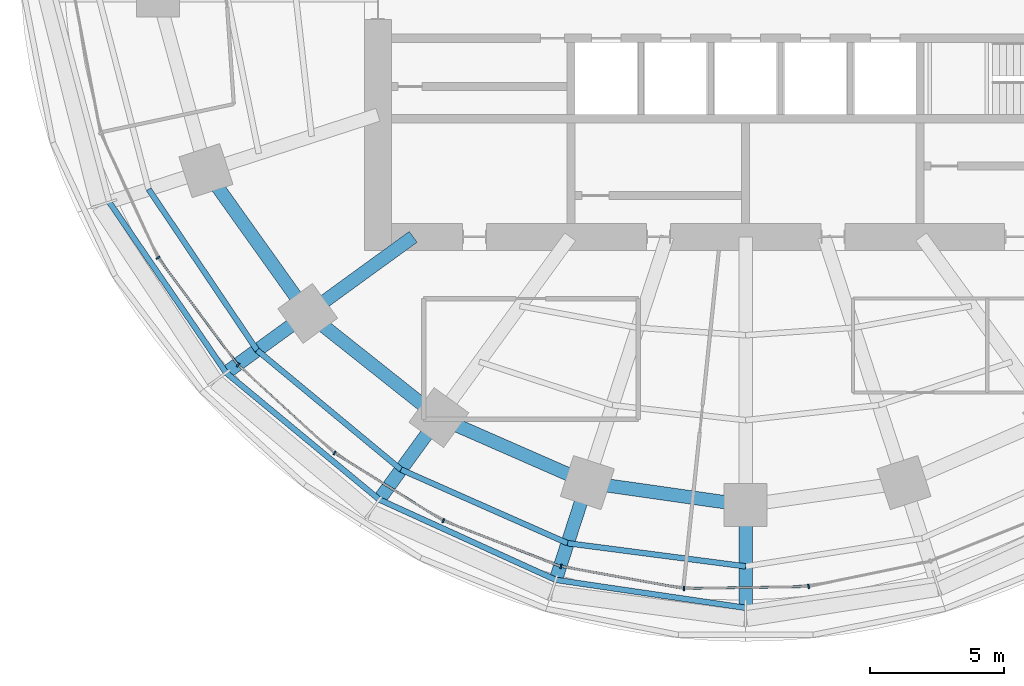
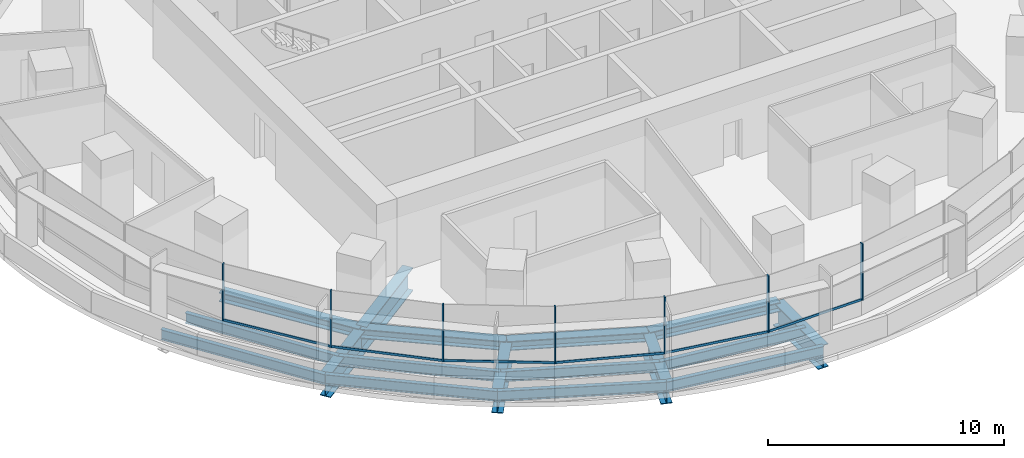
# One storey, part 2 of 15: 17 members, 13 beams, 2 elements without a shape of their own.
"""IFC4 building model written with IfcOpenShell, lengths in metres."""

import ifcopenshell
import ifcopenshell.guid

model = None  # the IFC model being written
_history = None  # IfcOwnerHistory: only IFC2X3 demands one
_inside = {}  # id of a spatial element -> (the spatial element, [elements in it])
_under = {}  # id of a project, library or spatial element -> (it, [spatial elements below it])
_declared = {}  # id of a project -> (the project, [libraries it declares])
_typed = {}  # id of a type object -> (the type object, [elements of that type])
_made_of = {}  # id of a material, layer set ... -> (it, [elements and type objects made of it])


def new_model(schema):
    """Start an empty IFC model of exactly this schema.

    Asked for "IFC4X3", IfcOpenShell would pick the latest addendum, in which some entities
    have other attributes; the version numbers below select the first issue.
    IFC2X3 requires an IfcOwnerHistory on every rooted entity: one is made here for all.
    """
    global model, _history
    if schema == "IFC4X3":
        model = ifcopenshell.file(schema_version=(4, 3, 0, 0))
    else:
        model = ifcopenshell.file(schema=schema)
    _inside.clear()
    _under.clear()
    _declared.clear()
    _typed.clear()
    _made_of.clear()
    _history = None
    if model.schema == "IFC2X3":
        org = make("IfcOrganization", Name="unknown")
        user = make(
            "IfcPersonAndOrganization",
            ThePerson=make("IfcPerson", FamilyName="unknown"),
            TheOrganization=org,
        )
        app = make(
            "IfcApplication",
            ApplicationDeveloper=org,
            Version="unknown",
            ApplicationFullName="unknown",
            ApplicationIdentifier="unknown",
        )
        _history = make(
            "IfcOwnerHistory",
            OwningUser=user,
            OwningApplication=app,
            ChangeAction="ADDED",
            CreationDate=0,
        )
    return model


def make(cls, **values):
    """One entity of the class cls with the attributes given. An attribute that is None is left unset."""
    return model.create_entity(
        cls, **{name: value for name, value in values.items() if value is not None}
    )


def rooted(cls, **values):
    """An entity with a GlobalId (a new one), such as an element, a storey or a relation."""
    return make(cls, GlobalId=ifcopenshell.guid.new(), OwnerHistory=_history, **values)


def si_unit(unit_type, name, prefix=None):
    """IfcSIUnit, for example si_unit("LENGTHUNIT", "METRE", prefix="MILLI")."""
    return make("IfcSIUnit", UnitType=unit_type, Prefix=prefix, Name=name)


def assignment(units):
    """IfcUnitAssignment: the units of a project."""
    return None if units is None else make("IfcUnitAssignment", Units=units)


def point(xyz):
    """IfcCartesianPoint."""
    return None if xyz is None else make("IfcCartesianPoint", Coordinates=xyz)


def direction(xyz):
    """IfcDirection."""
    return None if xyz is None else make("IfcDirection", DirectionRatios=xyz)


def frame(location, z_axis=None, x_axis=None):
    """IfcAxis2Placement3D, a coordinate frame: its origin and axes. An axis left out is left unset."""
    return make(
        "IfcAxis2Placement3D",
        Location=point(location),
        Axis=direction(z_axis),
        RefDirection=direction(x_axis),
    )


def frame_2d(location, x_axis=None):
    """IfcAxis2Placement2D, a coordinate frame in the plane: its origin and x axis."""
    return make(
        "IfcAxis2Placement2D", Location=point(location), RefDirection=direction(x_axis)
    )


def origin():
    """The frame at (0, 0, 0) with its axes left unset."""
    return frame((0.0, 0.0, 0.0))


def origin_2d():
    """The frame at (0, 0) in the plane with its x axis left unset."""
    return frame_2d((0.0, 0.0))


def place(relative_to, where):
    """IfcLocalPlacement: puts the frame where relative to a parent placement (None: the world)."""
    return make(
        "IfcLocalPlacement", PlacementRelTo=relative_to, RelativePlacement=where
    )


def context(
    kind, dimensions, precision=None, world=None, true_north=None, identifier=None
):
    """IfcGeometricRepresentationContext, for example the 3D "Model" context."""
    return make(
        "IfcGeometricRepresentationContext",
        ContextIdentifier=identifier,
        ContextType=kind,
        CoordinateSpaceDimension=dimensions,
        Precision=precision,
        WorldCoordinateSystem=world,
        TrueNorth=true_north,
    )


def subcontext(parent, identifier, kind, view, scale=None):
    """IfcGeometricRepresentationSubContext, for example "Body" below "Model"."""
    return make(
        "IfcGeometricRepresentationSubContext",
        ContextIdentifier=identifier,
        ContextType=kind,
        ParentContext=parent,
        TargetScale=scale,
        TargetView=view,
    )


def project(units=None, contexts=None):
    """IfcProject with its units and contexts."""
    return rooted(
        "IfcProject",
        Name="project",
        RepresentationContexts=contexts,
        UnitsInContext=assignment(units),
    )


def spatial(cls, under=None, at=None, **own):
    """A site, building, storey or space (cls), placed at a placement, below another one or the project."""
    s = rooted(cls, ObjectPlacement=at, **own)
    if under is not None:
        _under.setdefault(under.id(), (under, []))[1].append(s)
    return s


def profile(cls, at=None, kind="AREA", **sizes):
    """A parametric profile (cls). Its sizes go by their IFC names, for example OverallWidth=200.0."""
    return make(cls, ProfileType=kind, Position=at, **sizes)


def rectangle(**sizes):
    """IfcRectangleProfileDef."""
    return profile("IfcRectangleProfileDef", **sizes)


def i_section(**sizes):
    """IfcIShapeProfileDef."""
    return profile("IfcIShapeProfileDef", **sizes)


def extrude(swept, where, along, depth):
    """IfcExtrudedAreaSolid: the profile swept, set in the frame where, extruded along a direction by depth."""
    return make(
        "IfcExtrudedAreaSolid",
        SweptArea=swept,
        Position=where,
        ExtrudedDirection=direction(along),
        Depth=depth,
    )


def shape(context_of_items, identifier, shape_type, items):
    """IfcShapeRepresentation: the items that make up one representation, for example the "Body"."""
    return make(
        "IfcShapeRepresentation",
        ContextOfItems=context_of_items,
        RepresentationIdentifier=identifier,
        RepresentationType=shape_type,
        Items=items,
    )


def material(Name=None, Category=None):
    """IfcMaterial."""
    return make("IfcMaterial", Name=Name, Category=Category)


def material_profile(
    of_material, cross_section, Name=None, Category=None, Priority=None
):
    """IfcMaterialProfile: a cross section and its material."""
    return make(
        "IfcMaterialProfile",
        Name=Name,
        Material=of_material,
        Profile=cross_section,
        Priority=Priority,
        Category=Category,
    )


def profile_set(profiles, Name=None, composite=None):
    """IfcMaterialProfileSet."""
    return make(
        "IfcMaterialProfileSet",
        Name=Name,
        MaterialProfiles=profiles,
        CompositeProfile=composite,
    )


def made_of(thing, what):
    """Note that an element or type object is made of a material, layer set ...; save() writes the relation."""
    if what is not None:
        _made_of.setdefault(what.id(), (what, []))[1].append(thing)
    return thing


def type_object(cls, material=None, **own):
    """A type object (cls), such as IfcWallType, which elements share."""
    return made_of(rooted(cls, **own), material)


def element(
    cls,
    number,
    at=None,
    inside=None,
    cuts=None,
    type_object=None,
    material=None,
    context=None,
    identifier="Body",
    shape_type=None,
    held_by="IfcProductDefinitionShape",
    body=None,
    shapes=None,
    **own,
):
    """One element of the class cls, such as IfcWall. Its Tag is "e" and its number.

    at: its placement. inside: the storey or other place that contains it. cuts: it is an
    opening in that element (IfcRelVoidsElement). A single representation is given by context,
    identifier, shape_type and body (its items); several are given by shapes. held_by: the class
    of the entity that holds the representations. save() writes the other relations.
    """
    e = rooted(cls, Tag="e%d" % number, ObjectPlacement=at, **own)
    if body is not None:
        shapes = [shape(context, identifier, shape_type, body)]
    if shapes is not None:
        e.Representation = make(held_by, Representations=shapes)
    if inside is not None:
        _inside.setdefault(inside.id(), (inside, []))[1].append(e)
    if cuts is not None:
        rooted(
            "IfcRelVoidsElement", RelatingBuildingElement=cuts, RelatedOpeningElement=e
        )
    if type_object is not None:
        _typed.setdefault(type_object.id(), (type_object, []))[1].append(e)
    return made_of(e, material)


def aggregate(whole, parts):
    """IfcRelAggregates: a whole, such as a stair, and the parts it consists of."""
    return rooted("IfcRelAggregates", RelatingObject=whole, RelatedObjects=parts)


def save(model, path):
    """Write the relations noted so far, then the file.

    IfcRelAggregates (storeys below a building ...), IfcRelContainedInSpatialStructure (elements
    in a storey), IfcRelDefinesByType, IfcRelAssociatesMaterial and IfcRelDeclares: one each for
    every whole, place, type object, material and project.
    """
    for whole, parts in _under.values():
        aggregate(whole, parts)
    for where, things in _inside.values():
        rooted(
            "IfcRelContainedInSpatialStructure",
            RelatedElements=things,
            RelatingStructure=where,
        )
    for kind, things in _typed.values():
        rooted("IfcRelDefinesByType", RelatedObjects=things, RelatingType=kind)
    for what, things in _made_of.values():
        rooted("IfcRelAssociatesMaterial", RelatedObjects=things, RelatingMaterial=what)
    for by, libraries in _declared.values():
        rooted("IfcRelDeclares", RelatingContext=by, RelatedDefinitions=libraries)
    model.write(path)


model = new_model("IFC4")

# Units and contexts
model_context = context("Model", 3, precision=1e-05, world=origin(), true_north=direction((0.0, 1.0)))
body_context = subcontext(model_context, "Body", "Model", "MODEL_VIEW")
ifc_project = project(units=[si_unit("LENGTHUNIT", "METRE"), si_unit("AREAUNIT", "SQUARE_METRE"), si_unit("VOLUMEUNIT", "CUBIC_METRE"), si_unit("PLANEANGLEUNIT", "RADIAN"), si_unit("MASSUNIT", "GRAM", prefix="KILO")], contexts=[model_context])

# Site, building, storey
site_placement = place(None, origin())
site = spatial("IfcSite", under=ifc_project, at=site_placement, CompositionType="ELEMENT")
building_placement = place(site_placement, origin())
building = spatial("IfcBuilding", under=site, at=building_placement, Name="Marramba Exchange Tower", CompositionType="ELEMENT")
storey_placement = place(building_placement, frame((0.0, 0.0, 92.39990234375)))
storey = spatial("IfcBuildingStorey", under=building, at=storey_placement, Name="L21", CompositionType="ELEMENT", Elevation=92.39990234375)

# Members
ifc_material_1 = material(Name="Steel AS/NZS 3679.2 grade 300", Category="steel")
ifc_material_profile_1 = material_profile(ifc_material_1, i_section(OverallWidth=0.5, OverallDepth=0.47998046875, WebThickness=0.0400390625, FlangeThickness=0.0400390625, at=origin_2d()), Name="500WC440")
ifc_profile_set_1 = profile_set([ifc_material_profile_1], Name="Steel AS/NZS 3679.2 grade 300")
member_type_1 = type_object("IfcMemberType", Name="Belt truss chord 500WC440", PredefinedType="CHORD", material=ifc_profile_set_1)
member_1_placement = place(storey_placement, frame((-20.109375, -6.533935546875, -0.43994140625), z_axis=(0.580637181111, -0.814162430914, 0.0), x_axis=(0.814162430914, 0.580637181111, 0.0)))
element("IfcMember", 1, at=member_1_placement, inside=storey, type_object=member_type_1, Name="Belt chord L21 TC12-TC13", PredefinedType="CHORD", context=body_context, shape_type="SweptSolid", body=[
    extrude(i_section(OverallWidth=0.5, OverallDepth=0.47998046875, WebThickness=0.0400390625, FlangeThickness=0.0400390625, at=origin_2d()), origin(), (0.0, 0.0, 1.0), 6.5341796875),
])
member_2_placement = place(storey_placement, frame((-16.3154296875, -11.853759765625, -0.43994140625), z_axis=(0.783139438128, -0.621846138887, 0.0), x_axis=(0.621846138887, 0.783139438128, 0.0)))
element("IfcMember", 2, at=member_2_placement, inside=storey, type_object=member_type_1, Name="Belt chord L21 TC13-TC14", PredefinedType="CHORD", context=body_context, shape_type="SweptSolid", body=[
    extrude(i_section(OverallWidth=0.5, OverallDepth=0.47998046875, WebThickness=0.0400390625, FlangeThickness=0.0400390625, at=origin_2d()), origin(), (0.0, 0.0, 1.0), 6.23779296875),
])
member_3_placement = place(storey_placement, frame((-11.430419921875, -15.732666015625, -0.43994140625), z_axis=(0.915876892158, -0.4014592363, 0.0), x_axis=(0.4014592363, 0.915876892158, 0.0)))
element("IfcMember", 3, at=member_3_placement, inside=storey, type_object=member_type_1, Name="Belt chord L21 TC14-TC15", PredefinedType="CHORD", context=body_context, shape_type="SweptSolid", body=[
    extrude(i_section(OverallWidth=0.5, OverallDepth=0.47998046875, WebThickness=0.0400390625, FlangeThickness=0.0400390625, at=origin_2d()), origin(), (0.0, 0.0, 1.0), 6.038818359375),
])
member_4_placement = place(storey_placement, frame((-5.899658203125, -18.156982421875, -0.43994140625), z_axis=(0.990036163016, -0.140813337152, 0.0), x_axis=(0.140813337152, 0.990036163016, 0.0)))
element("IfcMember", 4, at=member_4_placement, inside=storey, type_object=member_type_1, Name="Belt chord L21 TC15-TC16", PredefinedType="CHORD", context=body_context, shape_type="SweptSolid", body=[
    extrude(i_section(OverallWidth=0.5, OverallDepth=0.47998046875, WebThickness=0.0400390625, FlangeThickness=0.0400390625, at=origin_2d()), origin(), (0.0, 0.0, 1.0), 5.958984375),
])

# Beams
ifc_material_profile_2 = material_profile(ifc_material_1, i_section(OverallWidth=0.5, OverallDepth=1.199951171875, WebThickness=0.01611328125, FlangeThickness=0.0400390625, at=origin_2d()), Name="1200WB455")
ifc_profile_set_2 = profile_set([ifc_material_profile_2], Name="Steel AS/NZS 3679.2 grade 300")
beam_type_1 = type_object("IfcBeamType", Name="Cantilever girder 1200WB455", PredefinedType="BEAM", material=ifc_profile_set_2)
beam_1_placement = place(storey_placement, frame((-16.3154296875, -11.853759765625, -0.849853515625), z_axis=(-0.809008346081, -0.587797155463, 0.0), x_axis=(0.587797155463, -0.809008346081, 0.0)))
element("IfcBeam", 5, at=beam_1_placement, inside=storey, type_object=beam_type_1, Name="Cantilever girder L21 TC13", PredefinedType="BEAM", context=body_context, shape_type="SweptSolid", body=[
    extrude(i_section(OverallWidth=0.5, OverallDepth=1.199951171875, WebThickness=0.01611328125, FlangeThickness=0.0400390625, at=origin_2d()), origin(), (0.0, 0.0, 1.0), 3.76025390625),
])
beam_2_placement = place(storey_placement, frame((-11.430419921875, -15.732666015625, -0.849853515625), z_axis=(-0.587787232741, -0.809015555491, 0.0), x_axis=(0.809015555491, -0.587787232741, 0.0)))
element("IfcBeam", 6, at=beam_2_placement, inside=storey, type_object=beam_type_1, Name="Cantilever girder L21 TC14", PredefinedType="BEAM", context=body_context, shape_type="SweptSolid", body=[
    extrude(i_section(OverallWidth=0.5, OverallDepth=1.199951171875, WebThickness=0.01611328125, FlangeThickness=0.0400390625, at=origin_2d()), origin(), (0.0, 0.0, 1.0), 3.7763671875),
])
beam_3_placement = place(storey_placement, frame((-5.899658203125, -18.156982421875, -0.849853515625), z_axis=(-0.309009272901, -0.951059025119, 0.0), x_axis=(0.951059025119, -0.309009272901, 0.0)))
element("IfcBeam", 7, at=beam_3_placement, inside=storey, type_object=beam_type_1, Name="Cantilever girder L21 TC15", PredefinedType="BEAM", context=body_context, shape_type="SweptSolid", body=[
    extrude(i_section(OverallWidth=0.5, OverallDepth=1.199951171875, WebThickness=0.01611328125, FlangeThickness=0.0400390625, at=origin_2d()), origin(), (0.0, 0.0, 1.0), 3.809814453125),
])
beam_4_placement = place(storey_placement, frame((0.0, -18.99609375, -0.849853515625), z_axis=(0.0, -1.0, 0.0), x_axis=(1.0, 0.0, 0.0)))
element("IfcBeam", 8, at=beam_4_placement, inside=storey, type_object=beam_type_1, Name="Cantilever girder L21 TC16", PredefinedType="BEAM", context=body_context, shape_type="SweptSolid", body=[
    extrude(i_section(OverallWidth=0.5, OverallDepth=1.199951171875, WebThickness=0.01611328125, FlangeThickness=0.0400390625, at=origin_2d()), origin(), (0.0, 0.0, 1.0), 3.825927734375),
])

# Curtain wall, members
ifc_material_2 = material(Name="Aluminium framing, bronze anodised", Category="aluminium")
curtain_wall_type = type_object("IfcCurtainWallType", Name="Office ribbon curtain wall", PredefinedType="USERDEFINED", material=ifc_material_2)
curtain_wall_1_placement = place(storey_placement, origin())
curtain_wall_1 = element("IfcCurtainWall", 9, at=curtain_wall_1_placement, inside=storey, type_object=curtain_wall_type, Name="Curtain wall CW4 L21 F16-F20", ObjectType="RIBBON CURTAIN WALL", PredefinedType="USERDEFINED")
ifc_material_3 = material(Name="Aluminium mullion, bronze anodised", Category="aluminium")
ifc_material_profile_3 = material_profile(ifc_material_3, rectangle(XDim=0.159912109375, YDim=0.06005859375, at=origin_2d()), Name="CW4 mullion 60x160")
ifc_profile_set_3 = profile_set([ifc_material_profile_3], Name="Aluminium mullion, bronze anodised")
member_type_2 = type_object("IfcMemberType", Name="Office ribbon curtain wall mullion", PredefinedType="MULLION", material=ifc_profile_set_3)
member_5_placement = place(storey_placement, frame((-21.891357421875, -9.778564453125, 0.800048828125), z_axis=(0.0, 0.0, 1.0), x_axis=(0.802014400683, 0.597304697033, 0.0)))
member_5 = element("IfcMember", 10, at=member_5_placement, type_object=member_type_2, Name="CW4 mullion 1", PredefinedType="MULLION", context=body_context, shape_type="SweptSolid", body=[
    extrude(rectangle(XDim=0.159912109375, YDim=0.06005859375, at=origin_2d()), origin(), (0.0, 0.0, 1.0), 2.93994140625),
])
member_6_placement = place(storey_placement, frame((-18.90869140625, -13.774169921875, 0.800048828125), z_axis=(0.0, 0.0, 1.0), x_axis=(0.674995455115, 0.737821886077, 0.0)))
member_6 = element("IfcMember", 11, at=member_6_placement, type_object=member_type_2, Name="CW4 mullion 1", PredefinedType="MULLION", context=body_context, shape_type="SweptSolid", body=[
    extrude(rectangle(XDim=0.159912109375, YDim=0.06005859375, at=origin_2d()), origin(), (0.0, 0.0, 1.0), 2.93994140625),
])
member_7_placement = place(storey_placement, frame((-15.315673828125, -17.053955078125, 0.800048828125), z_axis=(0.0, 0.0, 1.0), x_axis=(0.52942844364, 0.84835459748, 0.0)))
member_7 = element("IfcMember", 12, at=member_7_placement, type_object=member_type_2, Name="CW4 mullion 1", PredefinedType="MULLION", context=body_context, shape_type="SweptSolid", body=[
    extrude(rectangle(XDim=0.159912109375, YDim=0.06005859375, at=origin_2d()), origin(), (0.0, 0.0, 1.0), 2.93994140625),
])

curtain_wall_2_placement = place(storey_placement, origin())
curtain_wall_2 = element("IfcCurtainWall", 13, at=curtain_wall_2_placement, inside=storey, type_object=curtain_wall_type, Name="Curtain wall CW4 L21 F21-F25", ObjectType="RIBBON CURTAIN WALL", PredefinedType="USERDEFINED")
member_8_placement = place(storey_placement, frame((-11.266845703125, -19.573974609375, 0.800048828125), z_axis=(0.0, 0.0, 1.0), x_axis=(0.36292490603, 0.931818390344, 0.0)))
member_8 = element("IfcMember", 14, at=member_8_placement, type_object=member_type_2, Name="CW4 mullion 1", PredefinedType="MULLION", context=body_context, shape_type="SweptSolid", body=[
    extrude(rectangle(XDim=0.159912109375, YDim=0.06005859375, at=origin_2d()), origin(), (0.0, 0.0, 1.0), 2.93994140625),
])
member_9_placement = place(storey_placement, frame((-6.881591796875, -21.27587890625, 0.800048828125), z_axis=(0.0, 0.0, 1.0), x_axis=(0.177992379115, 0.984031865834, 0.0)))
member_9 = element("IfcMember", 15, at=member_9_placement, type_object=member_type_2, Name="CW4 mullion 1", PredefinedType="MULLION", context=body_context, shape_type="SweptSolid", body=[
    extrude(rectangle(XDim=0.159912109375, YDim=0.06005859375, at=origin_2d()), origin(), (0.0, 0.0, 1.0), 2.93994140625),
])
member_10_placement = place(storey_placement, frame((-2.292724609375, -22.099853515625, 0.800048828125), z_axis=(0.0, 0.0, 1.0), x_axis=(-0.015178646521, 0.999884797709, 0.0)))
member_10 = element("IfcMember", 16, at=member_10_placement, type_object=member_type_2, Name="CW4 mullion 1", PredefinedType="MULLION", context=body_context, shape_type="SweptSolid", body=[
    extrude(rectangle(XDim=0.159912109375, YDim=0.06005859375, at=origin_2d()), origin(), (0.0, 0.0, 1.0), 2.93994140625),
])
member_11_placement = place(storey_placement, frame((2.3447265625, -22.02392578125, 0.800048828125), z_axis=(0.0, 0.0, 1.0), x_axis=(-0.202364850159, 0.979310199794, 0.0)))
member_11 = element("IfcMember", 17, at=member_11_placement, type_object=member_type_2, Name="CW4 mullion 1", PredefinedType="MULLION", context=body_context, shape_type="SweptSolid", body=[
    extrude(rectangle(XDim=0.159912109375, YDim=0.06005859375, at=origin_2d()), origin(), (0.0, 0.0, 1.0), 2.93994140625),
])

# Member
ifc_material_4 = material(Name="Aluminium transom, bronze anodised", Category="aluminium")
ifc_material_profile_4 = material_profile(ifc_material_4, rectangle(XDim=0.06005859375, YDim=0.1201171875, at=origin_2d()), Name="CW4 transom 60x120")
ifc_profile_set_4 = profile_set([ifc_material_profile_4], Name="Aluminium transom, bronze anodised")
member_type_3 = type_object("IfcMemberType", Name="Office ribbon curtain wall transom", PredefinedType="USERDEFINED", material=ifc_profile_set_4)
member_12_placement = place(storey_placement, frame((-21.873291015625, -9.802734375, 0.830078125), z_axis=(0.597300736643, -0.80201735019, 0.0), x_axis=(0.80201735019, 0.597300736643, 0.0)))
member_12 = element("IfcMember", 18, at=member_12_placement, type_object=member_type_3, Name="CW4 sill transom", ObjectType="TRANSOM", PredefinedType="USERDEFINED", context=body_context, shape_type="SweptSolid", body=[
    extrude(rectangle(XDim=0.06005859375, YDim=0.1201171875, at=origin_2d()), origin(), (0.0, 0.0, 1.0), 4.926513671875),
])

member_13_placement = place(storey_placement, frame((-18.886474609375, -13.79443359375, 0.830078125), z_axis=(0.737807565469, -0.675011108306, 0.0), x_axis=(0.675011108306, 0.737807565469, 0.0)))
member_13 = element("IfcMember", 19, at=member_13_placement, type_object=member_type_3, Name="CW4 sill transom", ObjectType="TRANSOM", PredefinedType="USERDEFINED", context=body_context, shape_type="SweptSolid", body=[
    extrude(rectangle(XDim=0.06005859375, YDim=0.1201171875, at=origin_2d()), origin(), (0.0, 0.0, 1.0), 4.805419921875),
])

member_14_placement = place(storey_placement, frame((-15.2900390625, -17.06982421875, 0.830078125), z_axis=(0.848373790728, -0.529397687193, 0.0), x_axis=(0.529397687193, 0.848373790728, 0.0)))
member_14 = element("IfcMember", 20, at=member_14_placement, type_object=member_type_3, Name="CW4 sill transom", ObjectType="TRANSOM", PredefinedType="USERDEFINED", context=body_context, shape_type="SweptSolid", body=[
    extrude(rectangle(XDim=0.06005859375, YDim=0.1201171875, at=origin_2d()), origin(), (0.0, 0.0, 1.0), 4.70947265625),
])

aggregate(curtain_wall_1, [member_5, member_12, member_6, member_13, member_7, member_14])

member_15_placement = place(storey_placement, frame((-11.23876953125, -19.5849609375, 0.830078125), z_axis=(0.931817106708, -0.362928201778, 0.0), x_axis=(0.362928201778, 0.931817106708, 0.0)))
member_15 = element("IfcMember", 21, at=member_15_placement, type_object=member_type_3, Name="CW4 sill transom", ObjectType="TRANSOM", PredefinedType="USERDEFINED", context=body_context, shape_type="SweptSolid", body=[
    extrude(rectangle(XDim=0.06005859375, YDim=0.1201171875, at=origin_2d()), origin(), (0.0, 0.0, 1.0), 4.644287109375),
])

member_16_placement = place(storey_placement, frame((-6.85205078125, -21.281005859375, 0.830078125), z_axis=(0.98402906811, -0.178007845654, 0.0), x_axis=(0.178007845654, 0.98402906811, 0.0)))
member_16 = element("IfcMember", 22, at=member_16_placement, type_object=member_type_3, Name="CW4 sill transom", ObjectType="TRANSOM", PredefinedType="USERDEFINED", context=body_context, shape_type="SweptSolid", body=[
    extrude(rectangle(XDim=0.06005859375, YDim=0.1201171875, at=origin_2d()), origin(), (0.0, 0.0, 1.0), 4.602783203125),
])

member_17_placement = place(storey_placement, frame((-2.262939453125, -22.099365234375, 0.830078125), z_axis=(0.999885345665, 0.015142507235, 0.0), x_axis=(-0.015142507235, 0.999885345665, 0.0)))
member_17 = element("IfcMember", 23, at=member_17_placement, type_object=member_type_3, Name="CW4 sill transom", ObjectType="TRANSOM", PredefinedType="USERDEFINED", context=body_context, shape_type="SweptSolid", body=[
    extrude(rectangle(XDim=0.06005859375, YDim=0.1201171875, at=origin_2d()), origin(), (0.0, 0.0, 1.0), 4.578857421875),
])

aggregate(curtain_wall_2, [member_8, member_15, member_9, member_16, member_10, member_17, member_11])

# Beams
ifc_material_profile_5 = material_profile(ifc_material_1, i_section(OverallWidth=0.5, OverallDepth=1.199951171875, WebThickness=0.01611328125, FlangeThickness=0.0400390625, at=origin_2d()), Name="1200WB455")
ifc_profile_set_5 = profile_set([ifc_material_profile_5], Name="Steel AS/NZS 3679.2 grade 300")
beam_type_2 = type_object("IfcBeamType", Name="Radial girder 1200WB455", PredefinedType="BEAM", material=ifc_profile_set_5)
beam_5_placement = place(storey_placement, frame((-12.387451171875, -9.0, -0.7998046875), z_axis=(-0.809025189606, -0.58777397236, 0.0), x_axis=(0.58777397236, -0.809025189606, 0.0)))
element("IfcBeam", 24, at=beam_5_placement, inside=storey, type_object=beam_type_2, Name="Radial girder L21 TC13", PredefinedType="BEAM", context=body_context, shape_type="SweptSolid", body=[
    extrude(i_section(OverallWidth=0.5, OverallDepth=1.199951171875, WebThickness=0.01611328125, FlangeThickness=0.0400390625, at=origin_2d()), origin(), (0.0, 0.0, 1.0), 4.855224609375),
])
ifc_material_5 = material(Name="Steel AS/NZS 3679.1 grade 300", Category="steel")
ifc_material_profile_6 = material_profile(ifc_material_5, i_section(OverallWidth=0.208984375, OverallDepth=0.528076171875, WebThickness=0.009521484375, FlangeThickness=0.01318359375, FilletRadius=0.013916015625, at=origin_2d()), Name="530UB82.0")
ifc_profile_set_6 = profile_set([ifc_material_profile_6], Name="Steel AS/NZS 3679.1 grade 300")
beam_type_3 = type_object("IfcBeamType", Name="Slab edge beam 530UB82.0", PredefinedType="SPANDREL", material=ifc_profile_set_6)
beam_6_placement = place(storey_placement, frame((-23.709716796875, -7.703857421875, -0.513916015625), z_axis=(0.564740697285, -0.82526840775, 0.0), x_axis=(0.82526840775, 0.564740697285, 0.0)))
element("IfcBeam", 25, at=beam_6_placement, inside=storey, type_object=beam_type_3, Name="Setback roof edge beam L21 TC12-TC13", PredefinedType="SPANDREL", context=body_context, shape_type="SweptSolid", body=[
    extrude(i_section(OverallWidth=0.208984375, OverallDepth=0.528076171875, WebThickness=0.009521484375, FlangeThickness=0.01318359375, FilletRadius=0.013916015625, at=origin_2d()), origin(), (0.0, 0.0, 1.0), 7.706787109375),
])
beam_7_placement = place(storey_placement, frame((-19.357421875, -14.06396484375, -0.513916015625), z_axis=(0.770353575372, -0.637616945283, 0.0), x_axis=(0.637616945283, 0.770353575372, 0.0)))
element("IfcBeam", 26, at=beam_7_placement, inside=storey, type_object=beam_type_3, Name="Setback roof edge beam L21 TC13-TC14", PredefinedType="SPANDREL", context=body_context, shape_type="SweptSolid", body=[
    extrude(i_section(OverallWidth=0.208984375, OverallDepth=0.528076171875, WebThickness=0.009521484375, FlangeThickness=0.01318359375, FilletRadius=0.013916015625, at=origin_2d()), origin(), (0.0, 0.0, 1.0), 7.40869140625),
])
beam_8_placement = place(storey_placement, frame((-13.650146484375, -18.787841796875, -0.513916015625), z_axis=(0.910126690081, -0.414330071324, 0.0), x_axis=(0.414330071324, 0.910126690081, 0.0)))
element("IfcBeam", 27, at=beam_8_placement, inside=storey, type_object=beam_type_3, Name="Setback roof edge beam L21 TC14-TC15", PredefinedType="SPANDREL", context=body_context, shape_type="SweptSolid", body=[
    extrude(i_section(OverallWidth=0.208984375, OverallDepth=0.528076171875, WebThickness=0.009521484375, FlangeThickness=0.01318359375, FilletRadius=0.013916015625, at=origin_2d()), origin(), (0.0, 0.0, 1.0), 7.222412109375),
])
beam_9_placement = place(storey_placement, frame((-7.076904296875, -21.7802734375, -0.513916015625), z_axis=(0.989338462178, -0.145634498848, 0.0), x_axis=(0.145634498848, 0.989338462178, 0.0)))
element("IfcBeam", 28, at=beam_9_placement, inside=storey, type_object=beam_type_3, Name="Setback roof edge beam L21 TC15-TC16", PredefinedType="SPANDREL", context=body_context, shape_type="SweptSolid", body=[
    extrude(i_section(OverallWidth=0.208984375, OverallDepth=0.528076171875, WebThickness=0.009521484375, FlangeThickness=0.01318359375, FilletRadius=0.013916015625, at=origin_2d()), origin(), (0.0, 0.0, 1.0), 7.153076171875),
])
beam_10_placement = place(storey_placement, frame((-22.242431640625, -7.22705078125, -0.4638671875), z_axis=(0.558643987528, -0.829407556753, 0.0), x_axis=(0.829407556753, 0.558643987528, 0.0)))
element("IfcBeam", 29, at=beam_10_placement, inside=storey, type_object=beam_type_3, Name="Slab edge beam L21 TC12-TC13", PredefinedType="SPANDREL", context=body_context, shape_type="SweptSolid", body=[
    extrude(i_section(OverallWidth=0.208984375, OverallDepth=0.528076171875, WebThickness=0.009521484375, FlangeThickness=0.01318359375, FilletRadius=0.013916015625, at=origin_2d()), origin(), (0.0, 0.0, 1.0), 7.2314453125),
])
beam_11_placement = place(storey_placement, frame((-18.20263671875, -13.224853515625, -0.4638671875), z_axis=(0.769941870915, -0.638114030101, 0.0), x_axis=(0.638114030101, 0.769941870915, 0.0)))
element("IfcBeam", 30, at=beam_11_placement, inside=storey, type_object=beam_type_3, Name="Slab edge beam L21 TC13-TC14", PredefinedType="SPANDREL", context=body_context, shape_type="SweptSolid", body=[
    extrude(i_section(OverallWidth=0.208984375, OverallDepth=0.528076171875, WebThickness=0.009521484375, FlangeThickness=0.01318359375, FilletRadius=0.013916015625, at=origin_2d()), origin(), (0.0, 0.0, 1.0), 6.967041015625),
])
beam_12_placement = place(storey_placement, frame((-12.83837890625, -17.670654296875, -0.4638671875), z_axis=(0.914577058796, -0.4044116758, 0.0), x_axis=(0.4044116758, 0.914577058796, 0.0)))
element("IfcBeam", 31, at=beam_12_placement, inside=storey, type_object=beam_type_3, Name="Slab edge beam L21 TC14-TC15", PredefinedType="SPANDREL", context=body_context, shape_type="SweptSolid", body=[
    extrude(i_section(OverallWidth=0.208984375, OverallDepth=0.528076171875, WebThickness=0.009521484375, FlangeThickness=0.01318359375, FilletRadius=0.013916015625, at=origin_2d()), origin(), (0.0, 0.0, 1.0), 6.784912109375),
])
beam_13_placement = place(storey_placement, frame((-6.633056640625, -20.41455078125, -0.4638671875), z_axis=(0.99165547736, -0.128916307042, 0.0), x_axis=(0.128916307042, 0.99165547736, 0.0)))
element("IfcBeam", 32, at=beam_13_placement, inside=storey, type_object=beam_type_3, Name="Slab edge beam L21 TC15-TC16", PredefinedType="SPANDREL", context=body_context, shape_type="SweptSolid", body=[
    extrude(i_section(OverallWidth=0.208984375, OverallDepth=0.528076171875, WebThickness=0.009521484375, FlangeThickness=0.01318359375, FilletRadius=0.013916015625, at=origin_2d()), origin(), (0.0, 0.0, 1.0), 6.68896484375),
])

save(model, "model.ifc")
